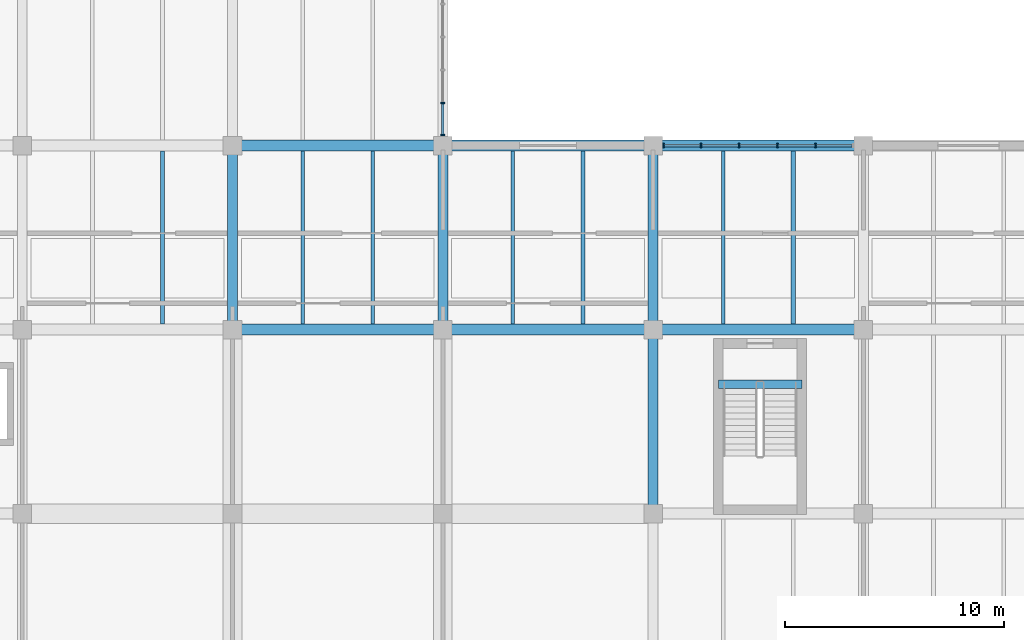
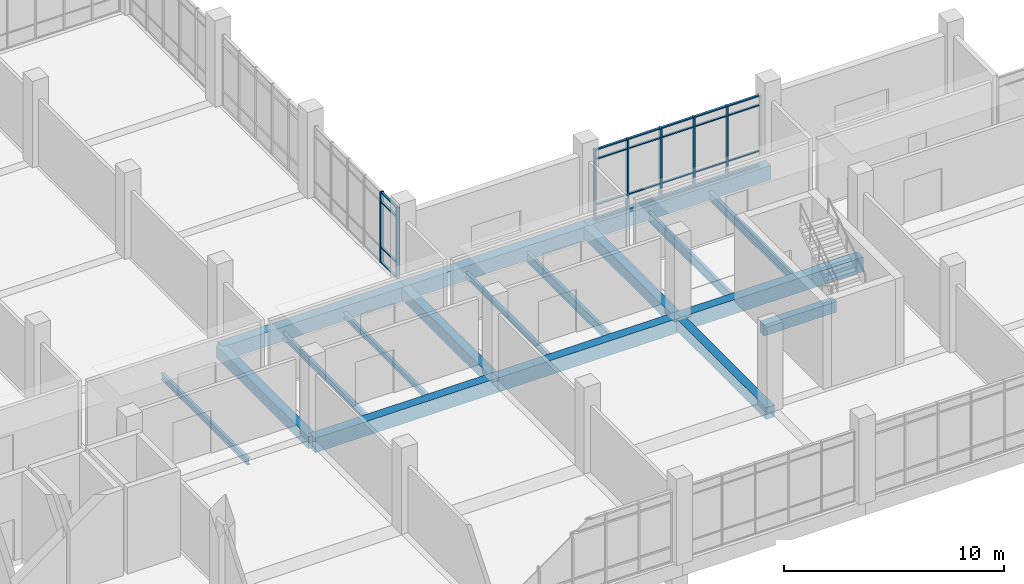
# One storey, part 38 of 152: 31 members, 18 beams, 2 elements without a shape of their own.
"""IFC4 building model written with IfcOpenShell, lengths in metres."""

from ifc_helpers import new_model, si_unit, direction, frame, origin, origin_2d, place, context, subcontext, project, spatial, rectangle, i_section, extrude, material, material_profile, profile_set, type_object, element, aggregate, save


model = new_model("IFC4")

# Units and contexts
model_context = context("Model", 3, precision=1e-05, world=origin(), true_north=direction((0.0, 1.0)))
body_context = subcontext(model_context, "Body", "Model", "MODEL_VIEW")
ifc_project = project(units=[si_unit("LENGTHUNIT", "METRE"), si_unit("AREAUNIT", "SQUARE_METRE"), si_unit("VOLUMEUNIT", "CUBIC_METRE"), si_unit("PLANEANGLEUNIT", "RADIAN"), si_unit("MASSUNIT", "GRAM", prefix="KILO")], contexts=[model_context])

# Site, building, storey
site_placement = place(None, origin())
site = spatial("IfcSite", under=ifc_project, at=site_placement, CompositionType="ELEMENT")
building_placement = place(site_placement, origin())
building = spatial("IfcBuilding", under=site, at=building_placement, Name="Oolite Switchyard Hospital", CompositionType="ELEMENT")
storey_placement = place(building_placement, frame((0.0, 0.0, 5.10009765625)))
storey = spatial("IfcBuildingStorey", under=building, at=storey_placement, Name="L01", CompositionType="ELEMENT", Elevation=5.10009765625)

# Beams
ifc_material_1 = material(Name="Concrete C40/50", Category="concrete")
ifc_material_profile_1 = material_profile(ifc_material_1, rectangle(XDim=0.39990234375, YDim=0.60009765625, at=origin_2d()), Name="RCB400X600")
ifc_profile_set_1 = profile_set([ifc_material_profile_1], Name="Concrete C40/50")
beam_type_1 = type_object("IfcBeamType", Name="BM-RC400X600", PredefinedType="BEAM", material=ifc_profile_set_1)
beam_1_placement = place(storey_placement, frame((89.375, 98.31005859375, -0.300048828125), z_axis=(1.0, 0.0, 0.0), x_axis=(0.0, 1.0, 0.0)))
element("IfcBeam", 1, at=beam_1_placement, inside=storey, type_object=beam_type_1, Name="L01 ST-09 Stair Throat Trimmer Beam", PredefinedType="BEAM", context=body_context, shape_type="SweptSolid", body=[
    extrude(rectangle(XDim=0.39990234375, YDim=0.60009765625, at=origin_2d()), origin(), (0.0, 0.0, 1.0), 3.81005859375),
])
ifc_material_profile_2 = material_profile(ifc_material_1, rectangle(XDim=0.449951171875, YDim=0.64990234375, at=origin_2d()), Name="RCB450X650")
ifc_profile_set_2 = profile_set([ifc_material_profile_2], Name="Concrete C40/50")
beam_type_2 = type_object("IfcBeamType", Name="BM-RC450X650", PredefinedType="BEAM", material=ifc_profile_set_2)
for number, where, z_axis, x_axis, name in (
    (2, (67.199951171875, 100.800048828125, -0.3251953125), (0.0, 1.0, 0.0), (-1.0, 0.0, 0.0), "L01 Y-Girder 403"),
    (3, (76.800048828125, 100.800048828125, -0.3251953125), (0.0, 1.0, 0.0), (-1.0, 0.0, 0.0), "L01 Y-Girder 409"),
):
    element("IfcBeam", number, at=place(storey_placement, frame(where, z_axis=z_axis, x_axis=x_axis)), inside=storey, type_object=beam_type_2, Name=name, PredefinedType="BEAM", context=body_context, shape_type="SweptSolid", body=[
        extrude(rectangle(XDim=0.449951171875, YDim=0.64990234375, at=origin_2d()), origin(), (0.0, 0.0, 1.0), 8.39990234375),
    ])
beam_2_placement = place(storey_placement, frame((86.39990234375, 92.39990234375, -0.3251953125), z_axis=(0.0, 1.0, 0.0), x_axis=(-1.0, 0.0, 0.0)))
element("IfcBeam", 4, at=beam_2_placement, inside=storey, type_object=beam_type_2, Name="L01 Y-Girder 415", PredefinedType="BEAM", context=body_context, shape_type="SweptSolid", body=[
    extrude(rectangle(XDim=0.449951171875, YDim=0.64990234375, at=origin_2d()), origin(), (0.0, 0.0, 1.0), 8.400146484375),
])
beam_3_placement = place(storey_placement, frame((86.39990234375, 100.800048828125, -0.3251953125), z_axis=(0.0, 1.0, 0.0), x_axis=(-1.0, 0.0, 0.0)))
element("IfcBeam", 5, at=beam_3_placement, inside=storey, type_object=beam_type_2, Name="L01 Y-Girder 416", PredefinedType="BEAM", context=body_context, shape_type="SweptSolid", body=[
    extrude(rectangle(XDim=0.449951171875, YDim=0.64990234375, at=origin_2d()), origin(), (0.0, 0.0, 1.0), 8.39990234375),
])
ifc_material_profile_3 = material_profile(ifc_material_1, rectangle(XDim=0.5, YDim=0.800048828125, at=origin_2d()), Name="RCB500X800")
ifc_profile_set_3 = profile_set([ifc_material_profile_3], Name="Concrete C40/50")
beam_type_3 = type_object("IfcBeamType", Name="BM-RC500X800", PredefinedType="BEAM", material=ifc_profile_set_3)
beam_4_placement = place(storey_placement, frame((67.199951171875, 100.800048828125, -0.400146484375), z_axis=(1.0, 0.0, 0.0), x_axis=(0.0, 1.0, 0.0)))
element("IfcBeam", 6, at=beam_4_placement, inside=storey, type_object=beam_type_3, Name="L01 X-Girder 204", PredefinedType="BEAM", context=body_context, shape_type="SweptSolid", body=[
    extrude(rectangle(XDim=0.5, YDim=0.800048828125, at=origin_2d()), origin(), (0.0, 0.0, 1.0), 9.60009765625),
])
beam_5_placement = place(storey_placement, frame((76.800048828125, 100.800048828125, -0.400146484375), z_axis=(1.0, 0.0, 0.0), x_axis=(0.0, 1.0, 0.0)))
element("IfcBeam", 7, at=beam_5_placement, inside=storey, type_object=beam_type_3, Name="L01 X-Girder 205", PredefinedType="BEAM", context=body_context, shape_type="SweptSolid", body=[
    extrude(rectangle(XDim=0.5, YDim=0.800048828125, at=origin_2d()), origin(), (0.0, 0.0, 1.0), 9.599853515625),
])
for number, where, z_axis, x_axis, name in (
    (8, (86.39990234375, 100.800048828125, -0.400146484375), (1.0, 0.0, 0.0), (0.0, 1.0, 0.0), "L01 X-Girder 206"),
    (9, (67.199951171875, 109.199951171875, -0.400146484375), (1.0, 0.0, 0.0), (0.0, 1.0, 0.0), "L01 X-Girder 226"),
):
    element("IfcBeam", number, at=place(storey_placement, frame(where, z_axis=z_axis, x_axis=x_axis)), inside=storey, type_object=beam_type_3, Name=name, PredefinedType="BEAM", context=body_context, shape_type="SweptSolid", body=[
        extrude(rectangle(XDim=0.5, YDim=0.800048828125, at=origin_2d()), origin(), (0.0, 0.0, 1.0), 9.60009765625),
    ])
beam_6_placement = place(storey_placement, frame((76.800048828125, 109.199951171875, -0.400146484375), z_axis=(1.0, 0.0, 0.0), x_axis=(0.0, 1.0, 0.0)))
element("IfcBeam", 10, at=beam_6_placement, inside=storey, type_object=beam_type_3, Name="L01 X-Girder 227", PredefinedType="BEAM", context=body_context, shape_type="SweptSolid", body=[
    extrude(rectangle(XDim=0.5, YDim=0.800048828125, at=origin_2d()), origin(), (0.0, 0.0, 1.0), 9.599853515625),
])
beam_7_placement = place(storey_placement, frame((86.39990234375, 109.199951171875, -0.400146484375), z_axis=(1.0, 0.0, 0.0), x_axis=(0.0, 1.0, 0.0)))
element("IfcBeam", 11, at=beam_7_placement, inside=storey, type_object=beam_type_3, Name="L01 X-Girder 228", PredefinedType="BEAM", context=body_context, shape_type="SweptSolid", body=[
    extrude(rectangle(XDim=0.5, YDim=0.800048828125, at=origin_2d()), origin(), (0.0, 0.0, 1.0), 9.60009765625),
])
ifc_material_2 = material(Name="Steel ASTM A992 Grade 50", Category="steel")
ifc_material_profile_4 = material_profile(ifc_material_2, i_section(OverallWidth=0.1650390625, OverallDepth=0.31005859375, WebThickness=0.006103515625, FlangeThickness=0.010009765625, at=origin_2d()), Name="W12X26")
ifc_profile_set_4 = profile_set([ifc_material_profile_4], Name="Steel ASTM A992 Grade 50")
beam_type_4 = type_object("IfcBeamType", Name="BM-W12X26", PredefinedType="JOIST", material=ifc_profile_set_4)
for number, where, z_axis, x_axis, name in (
    (12, (73.60009765625, 101.050048828125, -0.455078125), (0.0, 1.0, 0.0), (-1.0, 0.0, 0.0), "L01 Secondary Steel Joist 757"),
    (13, (80.0, 101.050048828125, -0.455078125), (0.0, 1.0, 0.0), (-1.0, 0.0, 0.0), "L01 Secondary Steel Joist 766"),
):
    element("IfcBeam", number, at=place(storey_placement, frame(where, z_axis=z_axis, x_axis=x_axis)), inside=storey, type_object=beam_type_4, Name=name, PredefinedType="JOIST", context=body_context, shape_type="SweptSolid", body=[
        extrude(i_section(OverallWidth=0.1650390625, OverallDepth=0.31005859375, WebThickness=0.006103515625, FlangeThickness=0.010009765625, at=origin_2d()), origin(), (0.0, 0.0, 1.0), 7.89990234375),
    ])
ifc_material_profile_5 = material_profile(ifc_material_2, i_section(OverallWidth=0.1708984375, OverallDepth=0.35107421875, WebThickness=0.007080078125, FlangeThickness=0.010009765625, at=origin_2d()), Name="W14X30")
ifc_profile_set_5 = profile_set([ifc_material_profile_5], Name="Steel ASTM A992 Grade 50")
beam_type_5 = type_object("IfcBeamType", Name="BM-W14X30", PredefinedType="JOIST", material=ifc_profile_set_5)
for number, where, z_axis, x_axis, name in (
    (14, (64.0, 101.050048828125, -0.47607421875), (0.0, 1.0, 0.0), (-1.0, 0.0, 0.0), "L01 Secondary Steel Joist 747"),
    (15, (70.39990234375, 101.050048828125, -0.47607421875), (0.0, 1.0, 0.0), (-1.0, 0.0, 0.0), "L01 Secondary Steel Joist 756"),
):
    element("IfcBeam", number, at=place(storey_placement, frame(where, z_axis=z_axis, x_axis=x_axis)), inside=storey, type_object=beam_type_5, Name=name, PredefinedType="JOIST", context=body_context, shape_type="SweptSolid", body=[
        extrude(i_section(OverallWidth=0.1708984375, OverallDepth=0.35107421875, WebThickness=0.007080078125, FlangeThickness=0.010009765625, at=origin_2d()), origin(), (0.0, 0.0, 1.0), 7.89990234375),
    ])
ifc_material_profile_6 = material_profile(ifc_material_2, i_section(OverallWidth=0.19091796875, OverallDepth=0.4599609375, WebThickness=0.010009765625, FlangeThickness=0.01611328125, at=origin_2d()), Name="W18X55")
ifc_profile_set_6 = profile_set([ifc_material_profile_6], Name="Steel ASTM A992 Grade 50")
beam_type_6 = type_object("IfcBeamType", Name="BM-W18X55", PredefinedType="JOIST", material=ifc_profile_set_6)
beam_8_placement = place(storey_placement, frame((92.800048828125, 101.050048828125, -0.530029296875), z_axis=(0.0, 1.0, 0.0), x_axis=(-1.0, 0.0, 0.0)))
element("IfcBeam", 16, at=beam_8_placement, inside=storey, type_object=beam_type_6, Name="L01 Secondary Steel Joist 773", PredefinedType="JOIST", context=body_context, shape_type="SweptSolid", body=[
    extrude(i_section(OverallWidth=0.19091796875, OverallDepth=0.4599609375, WebThickness=0.010009765625, FlangeThickness=0.01611328125, at=origin_2d()), origin(), (0.0, 0.0, 1.0), 7.89990234375),
])
ifc_material_profile_7 = material_profile(ifc_material_2, i_section(OverallWidth=0.166015625, OverallDepth=0.529052734375, WebThickness=0.010009765625, FlangeThickness=0.013916015625, at=origin_2d()), Name="W21X50")
ifc_profile_set_7 = profile_set([ifc_material_profile_7], Name="Steel ASTM A992 Grade 50")
beam_type_7 = type_object("IfcBeamType", Name="BM-W21X50", PredefinedType="JOIST", material=ifc_profile_set_7)
for number, where, z_axis, x_axis, name in (
    (17, (83.199951171875, 101.050048828125, -0.564208984375), (0.0, 1.0, 0.0), (-1.0, 0.0, 0.0), "L01 Secondary Steel Joist 767"),
    (18, (89.60009765625, 101.050048828125, -0.564208984375), (0.0, 1.0, 0.0), (-1.0, 0.0, 0.0), "L01 Secondary Steel Joist 772"),
):
    element("IfcBeam", number, at=place(storey_placement, frame(where, z_axis=z_axis, x_axis=x_axis)), inside=storey, type_object=beam_type_7, Name=name, PredefinedType="JOIST", context=body_context, shape_type="SweptSolid", body=[
        extrude(i_section(OverallWidth=0.166015625, OverallDepth=0.529052734375, WebThickness=0.010009765625, FlangeThickness=0.013916015625, at=origin_2d()), origin(), (0.0, 0.0, 1.0), 7.89990234375),
    ])

# Curtain wall, members
ifc_material_3 = material(Name="Thermally broken aluminum frame with laminated impact glazing", Category="aluminium")
curtain_wall_type_1 = type_object("IfcCurtainWallType", Name="CW-UNIT-84X48", PredefinedType="USERDEFINED", material=ifc_material_3)
curtain_wall_1_placement = place(storey_placement, origin())
curtain_wall_1 = element("IfcCurtainWall", 19, at=curtain_wall_1_placement, inside=storey, type_object=curtain_wall_type_1, Name="L01 Unitised Curtain Wall 180", ObjectType="UNITISED", PredefinedType="USERDEFINED")
ifc_material_4 = material(Name="Aluminium 6063-T6", Category="aluminium")
ifc_material_profile_8 = material_profile(ifc_material_4, rectangle(XDim=0.179931640625, YDim=0.070068359375, at=origin_2d()), Name="CWM70X180")
ifc_profile_set_8 = profile_set([ifc_material_profile_8], Name="Aluminium 6063-T6")
member_type_1 = type_object("IfcMemberType", Name="CW-MUL-220", PredefinedType="MULLION", material=ifc_profile_set_8)
member_1_placement = place(storey_placement, frame((76.800048828125, 111.14404296875, 0.0), z_axis=(0.0, 0.0, 1.0), x_axis=(1.0, 0.0, 0.0)))
member_1 = element("IfcMember", 20, at=member_1_placement, type_object=member_type_1, Name="CW-07 mullion 5", PredefinedType="MULLION", context=body_context, shape_type="SweptSolid", body=[
    extrude(rectangle(XDim=0.179931640625, YDim=0.070068359375, at=origin_2d()), origin(), (0.0, 0.0, 1.0), 3.93994140625),
])
member_2_placement = place(storey_placement, frame((76.800048828125, 109.675048828125, 0.0), z_axis=(0.0, 0.0, 1.0), x_axis=(1.0, 0.0, 0.0)))
member_2 = element("IfcMember", 21, at=member_2_placement, type_object=member_type_1, Name="CW-07 mullion 6", PredefinedType="MULLION", context=body_context, shape_type="SweptSolid", body=[
    extrude(rectangle(XDim=0.179931640625, YDim=0.070068359375, at=origin_2d()), origin(), (0.0, 0.0, 1.0), 3.93994140625),
])

curtain_wall_type_2 = type_object("IfcCurtainWallType", Name="CW-UNIT-96X48", PredefinedType="USERDEFINED", material=ifc_material_3)
curtain_wall_2_placement = place(storey_placement, origin())
curtain_wall_2 = element("IfcCurtainWall", 22, at=curtain_wall_2_placement, inside=storey, type_object=curtain_wall_type_2, Name="L01 Unitised Curtain Wall 148", ObjectType="UNITISED", PredefinedType="USERDEFINED")
ifc_material_profile_9 = material_profile(ifc_material_4, rectangle(XDim=0.199951171875, YDim=0.074951171875, at=origin_2d()), Name="CWM75X200")
ifc_profile_set_9 = profile_set([ifc_material_profile_9], Name="Aluminium 6063-T6")
member_type_2 = type_object("IfcMemberType", Name="CW-MUL-260", PredefinedType="MULLION", material=ifc_profile_set_9)
member_3_placement = place(storey_placement, frame((86.87744140625, 109.199951171875, 0.0), z_axis=(0.0, 0.0, 1.0), x_axis=(0.0, 1.0, 0.0)))
member_3 = element("IfcMember", 23, at=member_3_placement, type_object=member_type_2, Name="CW-02 mullion 1", PredefinedType="MULLION", context=body_context, shape_type="SweptSolid", body=[
    extrude(rectangle(XDim=0.199951171875, YDim=0.074951171875, at=origin_2d()), origin(), (0.0, 0.0, 1.0), 3.93994140625),
])
member_4_placement = place(storey_placement, frame((88.583984375, 109.199951171875, 0.0), z_axis=(0.0, 0.0, 1.0), x_axis=(0.0, 1.0, 0.0)))
member_4 = element("IfcMember", 24, at=member_4_placement, type_object=member_type_2, Name="CW-02 mullion 2", PredefinedType="MULLION", context=body_context, shape_type="SweptSolid", body=[
    extrude(rectangle(XDim=0.199951171875, YDim=0.074951171875, at=origin_2d()), origin(), (0.0, 0.0, 1.0), 3.93994140625),
])
member_5_placement = place(storey_placement, frame((90.327880859375, 109.199951171875, 0.0), z_axis=(0.0, 0.0, 1.0), x_axis=(0.0, 1.0, 0.0)))
member_5 = element("IfcMember", 25, at=member_5_placement, type_object=member_type_2, Name="CW-02 mullion 3", PredefinedType="MULLION", context=body_context, shape_type="SweptSolid", body=[
    extrude(rectangle(XDim=0.199951171875, YDim=0.074951171875, at=origin_2d()), origin(), (0.0, 0.0, 1.0), 3.93994140625),
])
member_6_placement = place(storey_placement, frame((92.072021484375, 109.199951171875, 0.0), z_axis=(0.0, 0.0, 1.0), x_axis=(0.0, 1.0, 0.0)))
member_6 = element("IfcMember", 26, at=member_6_placement, type_object=member_type_2, Name="CW-02 mullion 4", PredefinedType="MULLION", context=body_context, shape_type="SweptSolid", body=[
    extrude(rectangle(XDim=0.199951171875, YDim=0.074951171875, at=origin_2d()), origin(), (0.0, 0.0, 1.0), 3.93994140625),
])
member_7_placement = place(storey_placement, frame((93.81591796875, 109.199951171875, 0.0), z_axis=(0.0, 0.0, 1.0), x_axis=(0.0, 1.0, 0.0)))
member_7 = element("IfcMember", 27, at=member_7_placement, type_object=member_type_2, Name="CW-02 mullion 5", PredefinedType="MULLION", context=body_context, shape_type="SweptSolid", body=[
    extrude(rectangle(XDim=0.199951171875, YDim=0.074951171875, at=origin_2d()), origin(), (0.0, 0.0, 1.0), 3.93994140625),
])
ifc_material_profile_10 = material_profile(ifc_material_4, rectangle(XDim=0.1201171875, YDim=0.06005859375, at=origin_2d()), Name="CWT60X120")
ifc_profile_set_10 = profile_set([ifc_material_profile_10], Name="Aluminium 6063-T6")
member_type_3 = type_object("IfcMemberType", Name="CW-TRN-150", PredefinedType="USERDEFINED", material=ifc_profile_set_10)
member_8_placement = place(storey_placement, frame((86.9150390625, 109.199951171875, 0.02978515625), z_axis=(1.0, 0.0, 0.0), x_axis=(0.0, 1.0, 0.0)))
member_8 = element("IfcMember", 28, at=member_8_placement, type_object=member_type_3, Name="CW-02 transom 1.1", ObjectType="TRANSOM", PredefinedType="USERDEFINED", context=body_context, shape_type="SweptSolid", body=[
    extrude(rectangle(XDim=0.1201171875, YDim=0.06005859375, at=origin_2d()), origin(), (0.0, 0.0, 1.0), 1.63134765625),
])
member_9_placement = place(storey_placement, frame((86.9150390625, 109.199951171875, 0.849853515625), z_axis=(1.0, 0.0, 0.0), x_axis=(0.0, 1.0, 0.0)))
member_9 = element("IfcMember", 29, at=member_9_placement, type_object=member_type_3, Name="CW-02 transom 1.2", ObjectType="TRANSOM", PredefinedType="USERDEFINED", context=body_context, shape_type="SweptSolid", body=[
    extrude(rectangle(XDim=0.1201171875, YDim=0.06005859375, at=origin_2d()), origin(), (0.0, 0.0, 1.0), 1.63134765625),
])
member_10_placement = place(storey_placement, frame((86.9150390625, 109.199951171875, 3.389892578125), z_axis=(1.0, 0.0, 0.0), x_axis=(0.0, 1.0, 0.0)))
member_10 = element("IfcMember", 30, at=member_10_placement, type_object=member_type_3, Name="CW-02 transom 1.3", ObjectType="TRANSOM", PredefinedType="USERDEFINED", context=body_context, shape_type="SweptSolid", body=[
    extrude(rectangle(XDim=0.1201171875, YDim=0.06005859375, at=origin_2d()), origin(), (0.0, 0.0, 1.0), 1.63134765625),
])
member_11_placement = place(storey_placement, frame((86.9150390625, 109.199951171875, 3.909912109375), z_axis=(1.0, 0.0, 0.0), x_axis=(0.0, 1.0, 0.0)))
member_11 = element("IfcMember", 31, at=member_11_placement, type_object=member_type_3, Name="CW-02 transom 1.4", ObjectType="TRANSOM", PredefinedType="USERDEFINED", context=body_context, shape_type="SweptSolid", body=[
    extrude(rectangle(XDim=0.1201171875, YDim=0.06005859375, at=origin_2d()), origin(), (0.0, 0.0, 1.0), 1.63134765625),
])
member_12_placement = place(storey_placement, frame((88.62158203125, 109.199951171875, 0.02978515625), z_axis=(1.0, 0.0, 0.0), x_axis=(0.0, 1.0, 0.0)))
member_12 = element("IfcMember", 32, at=member_12_placement, type_object=member_type_3, Name="CW-02 transom 2.1", ObjectType="TRANSOM", PredefinedType="USERDEFINED", context=body_context, shape_type="SweptSolid", body=[
    extrude(rectangle(XDim=0.1201171875, YDim=0.06005859375, at=origin_2d()), origin(), (0.0, 0.0, 1.0), 1.6689453125),
])
member_13_placement = place(storey_placement, frame((88.62158203125, 109.199951171875, 0.849853515625), z_axis=(1.0, 0.0, 0.0), x_axis=(0.0, 1.0, 0.0)))
member_13 = element("IfcMember", 33, at=member_13_placement, type_object=member_type_3, Name="CW-02 transom 2.2", ObjectType="TRANSOM", PredefinedType="USERDEFINED", context=body_context, shape_type="SweptSolid", body=[
    extrude(rectangle(XDim=0.1201171875, YDim=0.06005859375, at=origin_2d()), origin(), (0.0, 0.0, 1.0), 1.6689453125),
])
member_14_placement = place(storey_placement, frame((88.62158203125, 109.199951171875, 3.389892578125), z_axis=(1.0, 0.0, 0.0), x_axis=(0.0, 1.0, 0.0)))
member_14 = element("IfcMember", 34, at=member_14_placement, type_object=member_type_3, Name="CW-02 transom 2.3", ObjectType="TRANSOM", PredefinedType="USERDEFINED", context=body_context, shape_type="SweptSolid", body=[
    extrude(rectangle(XDim=0.1201171875, YDim=0.06005859375, at=origin_2d()), origin(), (0.0, 0.0, 1.0), 1.6689453125),
])
member_15_placement = place(storey_placement, frame((88.62158203125, 109.199951171875, 3.909912109375), z_axis=(1.0, 0.0, 0.0), x_axis=(0.0, 1.0, 0.0)))
member_15 = element("IfcMember", 35, at=member_15_placement, type_object=member_type_3, Name="CW-02 transom 2.4", ObjectType="TRANSOM", PredefinedType="USERDEFINED", context=body_context, shape_type="SweptSolid", body=[
    extrude(rectangle(XDim=0.1201171875, YDim=0.06005859375, at=origin_2d()), origin(), (0.0, 0.0, 1.0), 1.6689453125),
])
member_16_placement = place(storey_placement, frame((90.365478515625, 109.199951171875, 0.02978515625), z_axis=(1.0, 0.0, 0.0), x_axis=(0.0, 1.0, 0.0)))
member_16 = element("IfcMember", 36, at=member_16_placement, type_object=member_type_3, Name="CW-02 transom 3.1", ObjectType="TRANSOM", PredefinedType="USERDEFINED", context=body_context, shape_type="SweptSolid", body=[
    extrude(rectangle(XDim=0.1201171875, YDim=0.06005859375, at=origin_2d()), origin(), (0.0, 0.0, 1.0), 1.6689453125),
])
member_17_placement = place(storey_placement, frame((90.365478515625, 109.199951171875, 0.849853515625), z_axis=(1.0, 0.0, 0.0), x_axis=(0.0, 1.0, 0.0)))
member_17 = element("IfcMember", 37, at=member_17_placement, type_object=member_type_3, Name="CW-02 transom 3.2", ObjectType="TRANSOM", PredefinedType="USERDEFINED", context=body_context, shape_type="SweptSolid", body=[
    extrude(rectangle(XDim=0.1201171875, YDim=0.06005859375, at=origin_2d()), origin(), (0.0, 0.0, 1.0), 1.6689453125),
])
member_18_placement = place(storey_placement, frame((90.365478515625, 109.199951171875, 3.389892578125), z_axis=(1.0, 0.0, 0.0), x_axis=(0.0, 1.0, 0.0)))
member_18 = element("IfcMember", 38, at=member_18_placement, type_object=member_type_3, Name="CW-02 transom 3.3", ObjectType="TRANSOM", PredefinedType="USERDEFINED", context=body_context, shape_type="SweptSolid", body=[
    extrude(rectangle(XDim=0.1201171875, YDim=0.06005859375, at=origin_2d()), origin(), (0.0, 0.0, 1.0), 1.6689453125),
])
member_19_placement = place(storey_placement, frame((90.365478515625, 109.199951171875, 3.909912109375), z_axis=(1.0, 0.0, 0.0), x_axis=(0.0, 1.0, 0.0)))
member_19 = element("IfcMember", 39, at=member_19_placement, type_object=member_type_3, Name="CW-02 transom 3.4", ObjectType="TRANSOM", PredefinedType="USERDEFINED", context=body_context, shape_type="SweptSolid", body=[
    extrude(rectangle(XDim=0.1201171875, YDim=0.06005859375, at=origin_2d()), origin(), (0.0, 0.0, 1.0), 1.6689453125),
])
member_20_placement = place(storey_placement, frame((92.109619140625, 109.199951171875, 0.02978515625), z_axis=(1.0, 0.0, 0.0), x_axis=(0.0, 1.0, 0.0)))
member_20 = element("IfcMember", 40, at=member_20_placement, type_object=member_type_3, Name="CW-02 transom 4.1", ObjectType="TRANSOM", PredefinedType="USERDEFINED", context=body_context, shape_type="SweptSolid", body=[
    extrude(rectangle(XDim=0.1201171875, YDim=0.06005859375, at=origin_2d()), origin(), (0.0, 0.0, 1.0), 1.6689453125),
])
member_21_placement = place(storey_placement, frame((92.109619140625, 109.199951171875, 0.849853515625), z_axis=(1.0, 0.0, 0.0), x_axis=(0.0, 1.0, 0.0)))
member_21 = element("IfcMember", 41, at=member_21_placement, type_object=member_type_3, Name="CW-02 transom 4.2", ObjectType="TRANSOM", PredefinedType="USERDEFINED", context=body_context, shape_type="SweptSolid", body=[
    extrude(rectangle(XDim=0.1201171875, YDim=0.06005859375, at=origin_2d()), origin(), (0.0, 0.0, 1.0), 1.6689453125),
])
member_22_placement = place(storey_placement, frame((92.109619140625, 109.199951171875, 3.389892578125), z_axis=(1.0, 0.0, 0.0), x_axis=(0.0, 1.0, 0.0)))
member_22 = element("IfcMember", 42, at=member_22_placement, type_object=member_type_3, Name="CW-02 transom 4.3", ObjectType="TRANSOM", PredefinedType="USERDEFINED", context=body_context, shape_type="SweptSolid", body=[
    extrude(rectangle(XDim=0.1201171875, YDim=0.06005859375, at=origin_2d()), origin(), (0.0, 0.0, 1.0), 1.6689453125),
])
member_23_placement = place(storey_placement, frame((92.109619140625, 109.199951171875, 3.909912109375), z_axis=(1.0, 0.0, 0.0), x_axis=(0.0, 1.0, 0.0)))
member_23 = element("IfcMember", 43, at=member_23_placement, type_object=member_type_3, Name="CW-02 transom 4.4", ObjectType="TRANSOM", PredefinedType="USERDEFINED", context=body_context, shape_type="SweptSolid", body=[
    extrude(rectangle(XDim=0.1201171875, YDim=0.06005859375, at=origin_2d()), origin(), (0.0, 0.0, 1.0), 1.6689453125),
])
member_24_placement = place(storey_placement, frame((93.853515625, 109.199951171875, 0.02978515625), z_axis=(1.0, 0.0, 0.0), x_axis=(0.0, 1.0, 0.0)))
member_24 = element("IfcMember", 44, at=member_24_placement, type_object=member_type_3, Name="CW-02 transom 5.1", ObjectType="TRANSOM", PredefinedType="USERDEFINED", context=body_context, shape_type="SweptSolid", body=[
    extrude(rectangle(XDim=0.1201171875, YDim=0.06005859375, at=origin_2d()), origin(), (0.0, 0.0, 1.0), 1.631591796875),
])
member_25_placement = place(storey_placement, frame((93.853515625, 109.199951171875, 0.849853515625), z_axis=(1.0, 0.0, 0.0), x_axis=(0.0, 1.0, 0.0)))
member_25 = element("IfcMember", 45, at=member_25_placement, type_object=member_type_3, Name="CW-02 transom 5.2", ObjectType="TRANSOM", PredefinedType="USERDEFINED", context=body_context, shape_type="SweptSolid", body=[
    extrude(rectangle(XDim=0.1201171875, YDim=0.06005859375, at=origin_2d()), origin(), (0.0, 0.0, 1.0), 1.631591796875),
])
member_26_placement = place(storey_placement, frame((93.853515625, 109.199951171875, 3.389892578125), z_axis=(1.0, 0.0, 0.0), x_axis=(0.0, 1.0, 0.0)))
member_26 = element("IfcMember", 46, at=member_26_placement, type_object=member_type_3, Name="CW-02 transom 5.3", ObjectType="TRANSOM", PredefinedType="USERDEFINED", context=body_context, shape_type="SweptSolid", body=[
    extrude(rectangle(XDim=0.1201171875, YDim=0.06005859375, at=origin_2d()), origin(), (0.0, 0.0, 1.0), 1.631591796875),
])
member_27_placement = place(storey_placement, frame((93.853515625, 109.199951171875, 3.909912109375), z_axis=(1.0, 0.0, 0.0), x_axis=(0.0, 1.0, 0.0)))
member_27 = element("IfcMember", 47, at=member_27_placement, type_object=member_type_3, Name="CW-02 transom 5.4", ObjectType="TRANSOM", PredefinedType="USERDEFINED", context=body_context, shape_type="SweptSolid", body=[
    extrude(rectangle(XDim=0.1201171875, YDim=0.06005859375, at=origin_2d()), origin(), (0.0, 0.0, 1.0), 1.631591796875),
])
aggregate(curtain_wall_2, [member_3, member_4, member_5, member_6, member_7, member_8, member_9, member_10, member_11, member_12, member_13, member_14, member_15, member_16, member_17, member_18, member_19, member_20, member_21, member_22, member_23, member_24, member_25, member_26, member_27])

# Member
member_28_placement = place(storey_placement, frame((76.800048828125, 111.10888671875, 0.02978515625), z_axis=(0.0, -1.0, 0.0), x_axis=(1.0, 0.0, 0.0)))
member_28 = element("IfcMember", 48, at=member_28_placement, type_object=member_type_3, Name="CW-07 transom 5.1", ObjectType="TRANSOM", PredefinedType="USERDEFINED", context=body_context, shape_type="SweptSolid", body=[
    extrude(rectangle(XDim=0.1201171875, YDim=0.06005859375, at=origin_2d()), origin(), (0.0, 0.0, 1.0), 1.39892578125),
])

member_29_placement = place(storey_placement, frame((76.800048828125, 111.10888671875, 0.849853515625), z_axis=(0.0, -1.0, 0.0), x_axis=(1.0, 0.0, 0.0)))
member_29 = element("IfcMember", 49, at=member_29_placement, type_object=member_type_3, Name="CW-07 transom 5.2", ObjectType="TRANSOM", PredefinedType="USERDEFINED", context=body_context, shape_type="SweptSolid", body=[
    extrude(rectangle(XDim=0.1201171875, YDim=0.06005859375, at=origin_2d()), origin(), (0.0, 0.0, 1.0), 1.39892578125),
])

member_30_placement = place(storey_placement, frame((76.800048828125, 111.10888671875, 3.389892578125), z_axis=(0.0, -1.0, 0.0), x_axis=(1.0, 0.0, 0.0)))
member_30 = element("IfcMember", 50, at=member_30_placement, type_object=member_type_3, Name="CW-07 transom 5.3", ObjectType="TRANSOM", PredefinedType="USERDEFINED", context=body_context, shape_type="SweptSolid", body=[
    extrude(rectangle(XDim=0.1201171875, YDim=0.06005859375, at=origin_2d()), origin(), (0.0, 0.0, 1.0), 1.39892578125),
])

member_31_placement = place(storey_placement, frame((76.800048828125, 111.10888671875, 3.909912109375), z_axis=(0.0, -1.0, 0.0), x_axis=(1.0, 0.0, 0.0)))
member_31 = element("IfcMember", 51, at=member_31_placement, type_object=member_type_3, Name="CW-07 transom 5.4", ObjectType="TRANSOM", PredefinedType="USERDEFINED", context=body_context, shape_type="SweptSolid", body=[
    extrude(rectangle(XDim=0.1201171875, YDim=0.06005859375, at=origin_2d()), origin(), (0.0, 0.0, 1.0), 1.39892578125),
])

aggregate(curtain_wall_1, [member_1, member_2, member_28, member_29, member_30, member_31])

save(model, "model.ifc")
